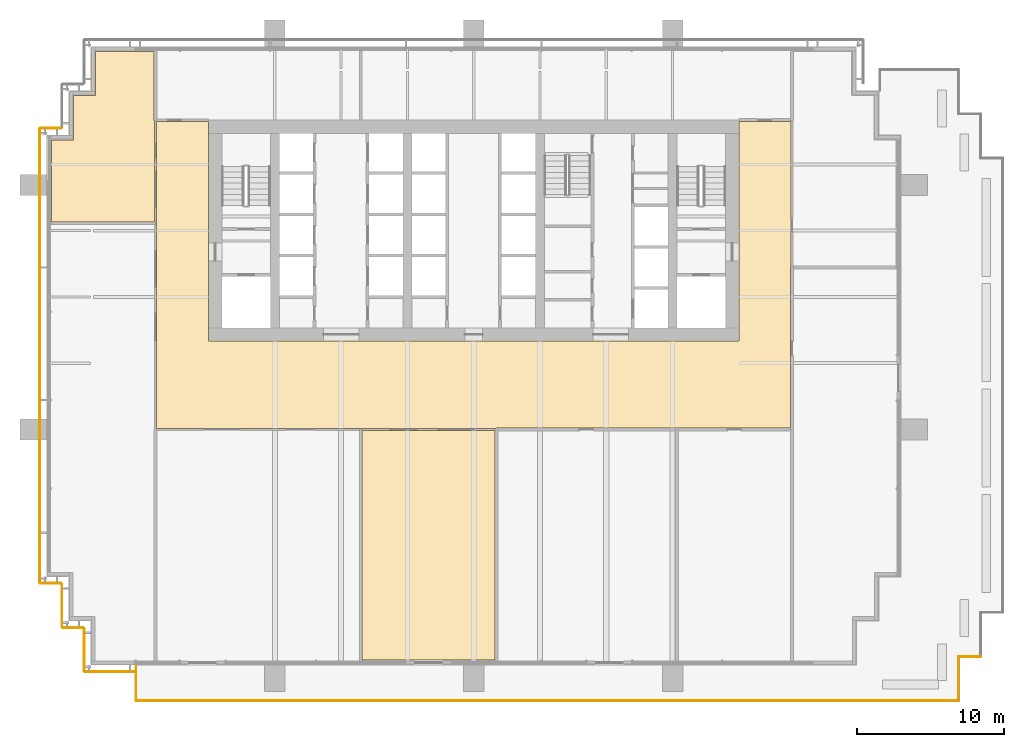
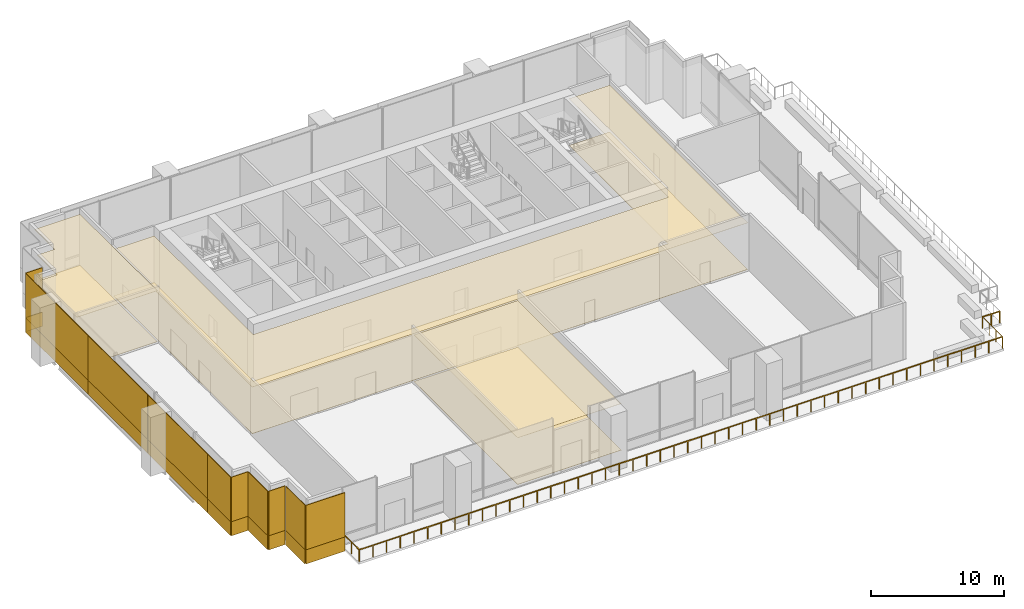
# One storey, part 11 of 14: 26 coverings, 4 railings.
"""IFC4 building model written with IfcOpenShell, lengths in metres."""

from ifc_helpers import new_model, si_unit, direction, frame, origin, origin_2d, place, context, subcontext, project, spatial, polyline, rectangle, outline, extrude, material, layer, layer_set, type_object, element, save


model = new_model("IFC4")

# Units and contexts
model_context = context("Model", 3, precision=1e-05, world=origin(), true_north=direction((0.0, 1.0)))
body_context = subcontext(model_context, "Body", "Model", "MODEL_VIEW")
ifc_project = project(units=[si_unit("LENGTHUNIT", "METRE"), si_unit("AREAUNIT", "SQUARE_METRE"), si_unit("VOLUMEUNIT", "CUBIC_METRE"), si_unit("PLANEANGLEUNIT", "RADIAN"), si_unit("MASSUNIT", "GRAM", prefix="KILO")], contexts=[model_context])

# Site, building, storey
site_placement = place(None, origin())
site = spatial("IfcSite", under=ifc_project, at=site_placement, CompositionType="ELEMENT")
building_placement = place(site_placement, origin())
building = spatial("IfcBuilding", under=site, at=building_placement, Name="Rattan Terrace Tower", CompositionType="ELEMENT")
storey_placement = place(building_placement, frame((0.0, 0.0, 120.699951171875)))
storey = spatial("IfcBuildingStorey", under=building, at=storey_placement, Name="L27", CompositionType="ELEMENT", Elevation=120.699951171875)

# Railings
ifc_material_1 = material(Name="Stainless steel 316", Category="steel")
railing_type = type_object("IfcRailingType", Name="Facade Guard 1100", PredefinedType="GUARDRAIL", material=ifc_material_1)
railing_1_placement = place(storey_placement, frame((34.419921875, -28.919921875, 0.0)))
element("IfcRailing", 1, at=railing_1_placement, inside=storey, type_object=railing_type, Name="Terrace guard L27-1-10", PredefinedType="GUARDRAIL", context=body_context, shape_type="SweptSolid", body=[
    extrude(rectangle(XDim=0.048095703125, YDim=0.048095703125, at=origin_2d()), frame((0.0, 0.0, 1.076171875), z_axis=(-1.0, 0.0, 0.0), x_axis=(0.0, -1.0, 0.0)), (0.0, 0.0, 1.0), 1.5),
    extrude(rectangle(XDim=0.0419921875, YDim=0.0419921875, at=origin_2d()), origin(), (0.0, 0.0, 1.0), 1.052001953125),
    extrude(rectangle(XDim=0.0419921875, YDim=0.0419921875, at=origin_2d()), frame((-0.75, 0.0, 0.0)), (0.0, 0.0, 1.0), 1.052001953125),
])
railing_2_placement = place(storey_placement, frame((32.919921875, -28.919921875, 0.0)))
element("IfcRailing", 2, at=railing_2_placement, inside=storey, type_object=railing_type, Name="Terrace guard L27-1-11", PredefinedType="GUARDRAIL", context=body_context, shape_type="SweptSolid", body=[
    extrude(rectangle(XDim=0.048095703125, YDim=0.048095703125, at=origin_2d()), frame((0.0, 0.0, 1.076171875), z_axis=(0.0, -1.0, 0.0), x_axis=(1.0, 0.0, 0.0)), (0.0, 0.0, 1.0), 3.0),
    extrude(rectangle(XDim=0.0419921875, YDim=0.0419921875, at=origin_2d()), origin(), (0.0, 0.0, 1.0), 1.052001953125),
    extrude(rectangle(XDim=0.0419921875, YDim=0.0419921875, at=origin_2d()), frame((0.0, -1.0, 0.0)), (0.0, 0.0, 1.0), 1.052001953125),
    extrude(rectangle(XDim=0.0419921875, YDim=0.0419921875, at=origin_2d()), frame((0.0, -2.0, 0.0)), (0.0, 0.0, 1.0), 1.052001953125),
])
railing_3_placement = place(storey_placement, frame((32.919921875, -31.919921875, 0.0)))
element("IfcRailing", 3, at=railing_3_placement, inside=storey, type_object=railing_type, Name="Terrace guard L27-1-12", PredefinedType="GUARDRAIL", context=body_context, shape_type="SweptSolid", body=[
    extrude(rectangle(XDim=0.048095703125, YDim=0.048095703125, at=origin_2d()), frame((0.0, 0.0, 1.076171875), z_axis=(-1.0, 0.0, 0.0), x_axis=(0.0, -1.0, 0.0)), (0.0, 0.0, 1.0), 55.83984375),
    extrude(rectangle(XDim=0.0419921875, YDim=0.0419921875, at=origin_2d()), origin(), (0.0, 0.0, 1.0), 1.052001953125),
    extrude(rectangle(XDim=0.0419921875, YDim=0.0419921875, at=origin_2d()), frame((-1.18798828125, 0.0, 0.0)), (0.0, 0.0, 1.0), 1.052001953125),
    extrude(rectangle(XDim=0.0419921875, YDim=0.0419921875, at=origin_2d()), frame((-2.376220703125, 0.0, 0.0)), (0.0, 0.0, 1.0), 1.052001953125),
    extrude(rectangle(XDim=0.0419921875, YDim=0.0419921875, at=origin_2d()), frame((-3.564208984375, 0.0, 0.0)), (0.0, 0.0, 1.0), 1.052001953125),
    extrude(rectangle(XDim=0.0419921875, YDim=0.0419921875, at=origin_2d()), frame((-4.75244140625, 0.0, 0.0)), (0.0, 0.0, 1.0), 1.052001953125),
    extrude(rectangle(XDim=0.0419921875, YDim=0.0419921875, at=origin_2d()), frame((-5.9404296875, 0.0, 0.0)), (0.0, 0.0, 1.0), 1.052001953125),
    extrude(rectangle(XDim=0.0419921875, YDim=0.0419921875, at=origin_2d()), frame((-7.12841796875, 0.0, 0.0)), (0.0, 0.0, 1.0), 1.052001953125),
    extrude(rectangle(XDim=0.0419921875, YDim=0.0419921875, at=origin_2d()), frame((-8.316650390625, 0.0, 0.0)), (0.0, 0.0, 1.0), 1.052001953125),
    extrude(rectangle(XDim=0.0419921875, YDim=0.0419921875, at=origin_2d()), frame((-9.504638671875, 0.0, 0.0)), (0.0, 0.0, 1.0), 1.052001953125),
    extrude(rectangle(XDim=0.0419921875, YDim=0.0419921875, at=origin_2d()), frame((-10.692626953125, 0.0, 0.0)), (0.0, 0.0, 1.0), 1.052001953125),
    extrude(rectangle(XDim=0.0419921875, YDim=0.0419921875, at=origin_2d()), frame((-11.880859375, 0.0, 0.0)), (0.0, 0.0, 1.0), 1.052001953125),
    extrude(rectangle(XDim=0.0419921875, YDim=0.0419921875, at=origin_2d()), frame((-13.06884765625, 0.0, 0.0)), (0.0, 0.0, 1.0), 1.052001953125),
    extrude(rectangle(XDim=0.0419921875, YDim=0.0419921875, at=origin_2d()), frame((-14.257080078125, 0.0, 0.0)), (0.0, 0.0, 1.0), 1.052001953125),
    extrude(rectangle(XDim=0.0419921875, YDim=0.0419921875, at=origin_2d()), frame((-15.445068359375, 0.0, 0.0)), (0.0, 0.0, 1.0), 1.052001953125),
    extrude(rectangle(XDim=0.0419921875, YDim=0.0419921875, at=origin_2d()), frame((-16.633056640625, 0.0, 0.0)), (0.0, 0.0, 1.0), 1.052001953125),
    extrude(rectangle(XDim=0.0419921875, YDim=0.0419921875, at=origin_2d()), frame((-17.8212890625, 0.0, 0.0)), (0.0, 0.0, 1.0), 1.052001953125),
    extrude(rectangle(XDim=0.0419921875, YDim=0.0419921875, at=origin_2d()), frame((-19.00927734375, 0.0, 0.0)), (0.0, 0.0, 1.0), 1.052001953125),
    extrude(rectangle(XDim=0.0419921875, YDim=0.0419921875, at=origin_2d()), frame((-20.197509765625, 0.0, 0.0)), (0.0, 0.0, 1.0), 1.052001953125),
    extrude(rectangle(XDim=0.0419921875, YDim=0.0419921875, at=origin_2d()), frame((-21.385498046875, 0.0, 0.0)), (0.0, 0.0, 1.0), 1.052001953125),
    extrude(rectangle(XDim=0.0419921875, YDim=0.0419921875, at=origin_2d()), frame((-22.573486328125, 0.0, 0.0)), (0.0, 0.0, 1.0), 1.052001953125),
    extrude(rectangle(XDim=0.0419921875, YDim=0.0419921875, at=origin_2d()), frame((-23.76171875, 0.0, 0.0)), (0.0, 0.0, 1.0), 1.052001953125),
    extrude(rectangle(XDim=0.0419921875, YDim=0.0419921875, at=origin_2d()), frame((-24.94970703125, 0.0, 0.0)), (0.0, 0.0, 1.0), 1.052001953125),
    extrude(rectangle(XDim=0.0419921875, YDim=0.0419921875, at=origin_2d()), frame((-26.1376953125, 0.0, 0.0)), (0.0, 0.0, 1.0), 1.052001953125),
    extrude(rectangle(XDim=0.0419921875, YDim=0.0419921875, at=origin_2d()), frame((-27.325927734375, 0.0, 0.0)), (0.0, 0.0, 1.0), 1.052001953125),
    extrude(rectangle(XDim=0.0419921875, YDim=0.0419921875, at=origin_2d()), frame((-28.513916015625, 0.0, 0.0)), (0.0, 0.0, 1.0), 1.052001953125),
    extrude(rectangle(XDim=0.0419921875, YDim=0.0419921875, at=origin_2d()), frame((-29.7021484375, 0.0, 0.0)), (0.0, 0.0, 1.0), 1.052001953125),
    extrude(rectangle(XDim=0.0419921875, YDim=0.0419921875, at=origin_2d()), frame((-30.89013671875, 0.0, 0.0)), (0.0, 0.0, 1.0), 1.052001953125),
    extrude(rectangle(XDim=0.0419921875, YDim=0.0419921875, at=origin_2d()), frame((-32.078125, 0.0, 0.0)), (0.0, 0.0, 1.0), 1.052001953125),
    extrude(rectangle(XDim=0.0419921875, YDim=0.0419921875, at=origin_2d()), frame((-33.266357421875, 0.0, 0.0)), (0.0, 0.0, 1.0), 1.052001953125),
    extrude(rectangle(XDim=0.0419921875, YDim=0.0419921875, at=origin_2d()), frame((-34.454345703125, 0.0, 0.0)), (0.0, 0.0, 1.0), 1.052001953125),
    extrude(rectangle(XDim=0.0419921875, YDim=0.0419921875, at=origin_2d()), frame((-35.642333984375, 0.0, 0.0)), (0.0, 0.0, 1.0), 1.052001953125),
    extrude(rectangle(XDim=0.0419921875, YDim=0.0419921875, at=origin_2d()), frame((-36.83056640625, 0.0, 0.0)), (0.0, 0.0, 1.0), 1.052001953125),
    extrude(rectangle(XDim=0.0419921875, YDim=0.0419921875, at=origin_2d()), frame((-38.0185546875, 0.0, 0.0)), (0.0, 0.0, 1.0), 1.052001953125),
    extrude(rectangle(XDim=0.0419921875, YDim=0.0419921875, at=origin_2d()), frame((-39.206787109375, 0.0, 0.0)), (0.0, 0.0, 1.0), 1.052001953125),
    extrude(rectangle(XDim=0.0419921875, YDim=0.0419921875, at=origin_2d()), frame((-40.394775390625, 0.0, 0.0)), (0.0, 0.0, 1.0), 1.052001953125),
    extrude(rectangle(XDim=0.0419921875, YDim=0.0419921875, at=origin_2d()), frame((-41.582763671875, 0.0, 0.0)), (0.0, 0.0, 1.0), 1.052001953125),
    extrude(rectangle(XDim=0.0419921875, YDim=0.0419921875, at=origin_2d()), frame((-42.77099609375, 0.0, 0.0)), (0.0, 0.0, 1.0), 1.052001953125),
    extrude(rectangle(XDim=0.0419921875, YDim=0.0419921875, at=origin_2d()), frame((-43.958984375, 0.0, 0.0)), (0.0, 0.0, 1.0), 1.052001953125),
    extrude(rectangle(XDim=0.0419921875, YDim=0.0419921875, at=origin_2d()), frame((-45.147216796875, 0.0, 0.0)), (0.0, 0.0, 1.0), 1.052001953125),
    extrude(rectangle(XDim=0.0419921875, YDim=0.0419921875, at=origin_2d()), frame((-46.335205078125, 0.0, 0.0)), (0.0, 0.0, 1.0), 1.052001953125),
    extrude(rectangle(XDim=0.0419921875, YDim=0.0419921875, at=origin_2d()), frame((-47.523193359375, 0.0, 0.0)), (0.0, 0.0, 1.0), 1.052001953125),
    extrude(rectangle(XDim=0.0419921875, YDim=0.0419921875, at=origin_2d()), frame((-48.71142578125, 0.0, 0.0)), (0.0, 0.0, 1.0), 1.052001953125),
    extrude(rectangle(XDim=0.0419921875, YDim=0.0419921875, at=origin_2d()), frame((-49.8994140625, 0.0, 0.0)), (0.0, 0.0, 1.0), 1.052001953125),
    extrude(rectangle(XDim=0.0419921875, YDim=0.0419921875, at=origin_2d()), frame((-51.08740234375, 0.0, 0.0)), (0.0, 0.0, 1.0), 1.052001953125),
    extrude(rectangle(XDim=0.0419921875, YDim=0.0419921875, at=origin_2d()), frame((-52.275634765625, 0.0, 0.0)), (0.0, 0.0, 1.0), 1.052001953125),
    extrude(rectangle(XDim=0.0419921875, YDim=0.0419921875, at=origin_2d()), frame((-53.463623046875, 0.0, 0.0)), (0.0, 0.0, 1.0), 1.052001953125),
    extrude(rectangle(XDim=0.0419921875, YDim=0.0419921875, at=origin_2d()), frame((-54.65185546875, 0.0, 0.0)), (0.0, 0.0, 1.0), 1.052001953125),
])
railing_4_placement = place(storey_placement, frame((-22.919921875, -31.919921875, 0.0)))
element("IfcRailing", 4, at=railing_4_placement, inside=storey, type_object=railing_type, Name="Terrace guard L27-1-13", PredefinedType="GUARDRAIL", context=body_context, shape_type="SweptSolid", body=[
    extrude(rectangle(XDim=0.048095703125, YDim=0.048095703125, at=origin_2d()), frame((0.0, 0.0, 1.076171875), z_axis=(0.0, 1.0, 0.0), x_axis=(-1.0, 0.0, 0.0)), (0.0, 0.0, 1.0), 2.3349609375),
    extrude(rectangle(XDim=0.0419921875, YDim=0.0419921875, at=origin_2d()), origin(), (0.0, 0.0, 1.0), 1.052001953125),
    extrude(rectangle(XDim=0.0419921875, YDim=0.0419921875, at=origin_2d()), frame((0.0, 1.16748046875, 0.0)), (0.0, 0.0, 1.0), 1.052001953125),
    extrude(rectangle(XDim=0.0419921875, YDim=0.0419921875, at=origin_2d()), frame((0.0, 2.3349609375, 0.0)), (0.0, 0.0, 1.0), 1.052001953125),
])

# Coverings
ifc_material_2 = material(Name="Solid terracotta", Category="masonry")
ifc_layer_1 = layer(ifc_material_2, 0.06005859375)
ifc_layer_set_1 = layer_set([ifc_layer_1], Name="Facade Terracotta Band Panel")
covering_type_1 = type_object("IfcCoveringType", Name="Facade Terracotta Band Panel", PredefinedType="CLADDING", material=ifc_layer_set_1)
covering_1_placement = place(storey_placement, frame((-28.699951171875, 6.949951171875, -0.18994140625), z_axis=(0.0, 0.0, 1.0), x_axis=(-1.0, 0.0, 0.0)))
element("IfcCovering", 5, at=covering_1_placement, inside=storey, type_object=covering_type_1, Name="OUTER SKIN panel L27-12A", PredefinedType="CLADDING", context=body_context, shape_type="SweptSolid", body=[
    extrude(rectangle(XDim=1.419921875, YDim=0.06005859375, at=origin_2d()), origin(), (0.0, 0.0, 1.0), 1.300048828125),
])
covering_2_placement = place(storey_placement, frame((-29.449951171875, 2.2099609375, -0.18994140625), z_axis=(0.0, 0.0, 1.0), x_axis=(0.0, -1.0, 0.0)))
element("IfcCovering", 6, at=covering_2_placement, inside=storey, type_object=covering_type_1, Name="OUTER SKIN panel L27-13A", PredefinedType="CLADDING", context=body_context, shape_type="SweptSolid", body=[
    extrude(rectangle(XDim=9.39990234375, YDim=0.06005859375, at=origin_2d()), origin(), (0.0, 0.0, 1.0), 1.300048828125),
])
for number, where, z_axis, x_axis, name in (
    (7, (-29.449951171875, -7.0, -0.18994140625), (0.0, 0.0, 1.0), (0.0, -1.0, 0.0), "OUTER SKIN panel L27-14A"),
    (8, (-29.449951171875, -16.0, -0.18994140625), (0.0, 0.0, 1.0), (0.0, -1.0, 0.0), "OUTER SKIN panel L27-15A"),
):
    element("IfcCovering", number, at=place(storey_placement, frame(where, z_axis=z_axis, x_axis=x_axis)), inside=storey, type_object=covering_type_1, Name=name, PredefinedType="CLADDING", context=body_context, shape_type="SweptSolid", body=[
        extrude(rectangle(XDim=8.97998046875, YDim=0.06005859375, at=origin_2d()), origin(), (0.0, 0.0, 1.0), 1.300048828125),
    ])
covering_3_placement = place(storey_placement, frame((-29.449951171875, -22.2099609375, -0.18994140625), z_axis=(0.0, 0.0, 1.0), x_axis=(0.0, -1.0, 0.0)))
element("IfcCovering", 9, at=covering_3_placement, inside=storey, type_object=covering_type_1, Name="OUTER SKIN panel L27-16A", PredefinedType="CLADDING", context=body_context, shape_type="SweptSolid", body=[
    extrude(rectangle(XDim=3.39990234375, YDim=0.06005859375, at=origin_2d()), origin(), (0.0, 0.0, 1.0), 1.300048828125),
])
covering_4_placement = place(storey_placement, frame((-28.699951171875, -23.949951171875, -0.18994140625), z_axis=(0.0, 0.0, 1.0), x_axis=(1.0, 0.0, 0.0)))
element("IfcCovering", 10, at=covering_4_placement, inside=storey, type_object=covering_type_1, Name="OUTER SKIN panel L27-17A", PredefinedType="CLADDING", context=body_context, shape_type="SweptSolid", body=[
    extrude(rectangle(XDim=1.419921875, YDim=0.06005859375, at=origin_2d()), origin(), (0.0, 0.0, 1.0), 1.300048828125),
])
covering_5_placement = place(storey_placement, frame((-27.949951171875, -25.449951171875, -0.18994140625), z_axis=(0.0, 0.0, 1.0), x_axis=(0.0, -1.0, 0.0)))
element("IfcCovering", 11, at=covering_5_placement, inside=storey, type_object=covering_type_1, Name="OUTER SKIN panel L27-18A", PredefinedType="CLADDING", context=body_context, shape_type="SweptSolid", body=[
    extrude(rectangle(XDim=2.919921875, YDim=0.06005859375, at=origin_2d()), origin(), (0.0, 0.0, 1.0), 1.300048828125),
])
covering_6_placement = place(storey_placement, frame((-27.199951171875, -26.949951171875, -0.18994140625), z_axis=(0.0, 0.0, 1.0), x_axis=(1.0, 0.0, 0.0)))
element("IfcCovering", 12, at=covering_6_placement, inside=storey, type_object=covering_type_1, Name="OUTER SKIN panel L27-19A", PredefinedType="CLADDING", context=body_context, shape_type="SweptSolid", body=[
    extrude(rectangle(XDim=1.419921875, YDim=0.06005859375, at=origin_2d()), origin(), (0.0, 0.0, 1.0), 1.300048828125),
])
covering_7_placement = place(storey_placement, frame((-26.449951171875, -28.449951171875, -0.18994140625), z_axis=(0.0, 0.0, 1.0), x_axis=(0.0, -1.0, 0.0)))
element("IfcCovering", 13, at=covering_7_placement, inside=storey, type_object=covering_type_1, Name="OUTER SKIN panel L27-20A", PredefinedType="CLADDING", context=body_context, shape_type="SweptSolid", body=[
    extrude(rectangle(XDim=2.919921875, YDim=0.06005859375, at=origin_2d()), origin(), (0.0, 0.0, 1.0), 1.300048828125),
])
covering_8_placement = place(storey_placement, frame((-24.72509765625, -29.949951171875, -0.18994140625), z_axis=(0.0, 0.0, 1.0), x_axis=(1.0, 0.0, 0.0)))
element("IfcCovering", 14, at=covering_8_placement, inside=storey, type_object=covering_type_1, Name="OUTER SKIN panel L27-21A", PredefinedType="CLADDING", context=body_context, shape_type="SweptSolid", body=[
    extrude(rectangle(XDim=3.3701171875, YDim=0.06005859375, at=origin_2d()), origin(), (0.0, 0.0, 1.0), 1.300048828125),
])
ifc_material_3 = material(Name="Perforated terracotta", Category="masonry")
ifc_layer_2 = layer(ifc_material_3, 0.06005859375)
ifc_layer_set_2 = layer_set([ifc_layer_2], Name="Facade Terracotta Screen Panel")
covering_type_2 = type_object("IfcCoveringType", Name="Facade Terracotta Screen Panel", PredefinedType="CLADDING", material=ifc_layer_set_2)
covering_9_placement = place(storey_placement, frame((-28.699951171875, 6.949951171875, 1.110107421875), z_axis=(0.0, 0.0, 1.0), x_axis=(-1.0, 0.0, 0.0)))
element("IfcCovering", 15, at=covering_9_placement, inside=storey, type_object=covering_type_2, Name="OUTER SKIN panel L27-12B", PredefinedType="CLADDING", context=body_context, shape_type="SweptSolid", body=[
    extrude(rectangle(XDim=1.419921875, YDim=0.06005859375, at=origin_2d()), origin(), (0.0, 0.0, 1.0), 4.080078125),
])
covering_10_placement = place(storey_placement, frame((-29.449951171875, 2.2099609375, 1.110107421875), z_axis=(0.0, 0.0, 1.0), x_axis=(0.0, -1.0, 0.0)))
element("IfcCovering", 16, at=covering_10_placement, inside=storey, type_object=covering_type_2, Name="OUTER SKIN panel L27-13B", PredefinedType="CLADDING", context=body_context, shape_type="SweptSolid", body=[
    extrude(rectangle(XDim=9.39990234375, YDim=0.06005859375, at=origin_2d()), origin(), (0.0, 0.0, 1.0), 4.080078125),
])
for number, where, z_axis, x_axis, name in (
    (17, (-29.449951171875, -7.0, 1.110107421875), (0.0, 0.0, 1.0), (0.0, -1.0, 0.0), "OUTER SKIN panel L27-14B"),
    (18, (-29.449951171875, -16.0, 1.110107421875), (0.0, 0.0, 1.0), (0.0, -1.0, 0.0), "OUTER SKIN panel L27-15B"),
):
    element("IfcCovering", number, at=place(storey_placement, frame(where, z_axis=z_axis, x_axis=x_axis)), inside=storey, type_object=covering_type_2, Name=name, PredefinedType="CLADDING", context=body_context, shape_type="SweptSolid", body=[
        extrude(rectangle(XDim=8.97998046875, YDim=0.06005859375, at=origin_2d()), origin(), (0.0, 0.0, 1.0), 4.080078125),
    ])
covering_11_placement = place(storey_placement, frame((-29.449951171875, -22.2099609375, 1.110107421875), z_axis=(0.0, 0.0, 1.0), x_axis=(0.0, -1.0, 0.0)))
element("IfcCovering", 19, at=covering_11_placement, inside=storey, type_object=covering_type_2, Name="OUTER SKIN panel L27-16B", PredefinedType="CLADDING", context=body_context, shape_type="SweptSolid", body=[
    extrude(rectangle(XDim=3.39990234375, YDim=0.06005859375, at=origin_2d()), origin(), (0.0, 0.0, 1.0), 4.080078125),
])
covering_12_placement = place(storey_placement, frame((-28.699951171875, -23.949951171875, 1.110107421875), z_axis=(0.0, 0.0, 1.0), x_axis=(1.0, 0.0, 0.0)))
element("IfcCovering", 20, at=covering_12_placement, inside=storey, type_object=covering_type_2, Name="OUTER SKIN panel L27-17B", PredefinedType="CLADDING", context=body_context, shape_type="SweptSolid", body=[
    extrude(rectangle(XDim=1.419921875, YDim=0.06005859375, at=origin_2d()), origin(), (0.0, 0.0, 1.0), 4.080078125),
])
covering_13_placement = place(storey_placement, frame((-27.949951171875, -25.449951171875, 1.110107421875), z_axis=(0.0, 0.0, 1.0), x_axis=(0.0, -1.0, 0.0)))
element("IfcCovering", 21, at=covering_13_placement, inside=storey, type_object=covering_type_2, Name="OUTER SKIN panel L27-18B", PredefinedType="CLADDING", context=body_context, shape_type="SweptSolid", body=[
    extrude(rectangle(XDim=2.919921875, YDim=0.06005859375, at=origin_2d()), origin(), (0.0, 0.0, 1.0), 4.080078125),
])
covering_14_placement = place(storey_placement, frame((-27.199951171875, -26.949951171875, 1.110107421875), z_axis=(0.0, 0.0, 1.0), x_axis=(1.0, 0.0, 0.0)))
element("IfcCovering", 22, at=covering_14_placement, inside=storey, type_object=covering_type_2, Name="OUTER SKIN panel L27-19B", PredefinedType="CLADDING", context=body_context, shape_type="SweptSolid", body=[
    extrude(rectangle(XDim=1.419921875, YDim=0.06005859375, at=origin_2d()), origin(), (0.0, 0.0, 1.0), 4.080078125),
])
covering_15_placement = place(storey_placement, frame((-26.449951171875, -28.449951171875, 1.110107421875), z_axis=(0.0, 0.0, 1.0), x_axis=(0.0, -1.0, 0.0)))
element("IfcCovering", 23, at=covering_15_placement, inside=storey, type_object=covering_type_2, Name="OUTER SKIN panel L27-20B", PredefinedType="CLADDING", context=body_context, shape_type="SweptSolid", body=[
    extrude(rectangle(XDim=2.919921875, YDim=0.06005859375, at=origin_2d()), origin(), (0.0, 0.0, 1.0), 4.080078125),
])
covering_16_placement = place(storey_placement, frame((-24.72509765625, -29.949951171875, 1.110107421875), z_axis=(0.0, 0.0, 1.0), x_axis=(1.0, 0.0, 0.0)))
element("IfcCovering", 24, at=covering_16_placement, inside=storey, type_object=covering_type_2, Name="OUTER SKIN panel L27-21B", PredefinedType="CLADDING", context=body_context, shape_type="SweptSolid", body=[
    extrude(rectangle(XDim=3.3701171875, YDim=0.06005859375, at=origin_2d()), origin(), (0.0, 0.0, 1.0), 4.080078125),
])
ifc_material_4 = material(Name="Polished limestone", Category="masonry")
ifc_layer_3 = layer(ifc_material_4, 0.02001953125)
ifc_layer_set_3 = layer_set([ifc_layer_3], Name="Lobby Floor Finish Stone 20")
covering_type_3 = type_object("IfcCoveringType", Name="Lobby Floor Finish Stone 20", PredefinedType="FLOORING", material=ifc_layer_set_3)
covering_17_placement = place(storey_placement, origin())
element("IfcCovering", 25, at=covering_17_placement, inside=storey, type_object=covering_type_3, Name="Floor finish L27-101", PredefinedType="FLOORING", context=body_context, shape_type="SweptSolid", body=[
    extrude(outline(polyline([(18.0, -7.5), (-18.0, -7.5), (-18.0, 7.425048828125), (-21.52490234375, 7.425048828125), (-21.52490234375, -13.425048828125), (1.512939453125, -13.425048828125), (1.512939453125, -13.39990234375), (21.5, -13.39990234375), (21.5, -2.47998046875), (21.52490234375, -2.47998046875), (21.52490234375, 7.39990234375), (18.0, 7.39990234375), (18.0, -7.5)])), origin(), (0.0, 0.0, 1.0), 0.02001953125),
])
covering_18_placement = place(storey_placement, origin())
element("IfcCovering", 26, at=covering_18_placement, inside=storey, type_object=covering_type_3, Name="Floor finish L27-102", PredefinedType="FLOORING", context=body_context, shape_type="SweptSolid", body=[
    extrude(outline(polyline([(-25.659912109375, 12.159912109375), (-25.659912109375, 9.159912109375), (-27.159912109375, 9.159912109375), (-27.159912109375, 6.159912109375), (-28.659912109375, 6.159912109375), (-28.659912109375, 0.590087890625), (-21.675048828125, 0.590087890625), (-21.675048828125, 7.47998046875), (-21.68994140625, 7.47998046875), (-21.68994140625, 12.159912109375), (-25.659912109375, 12.159912109375)])), origin(), (0.0, 0.0, 1.0), 0.02001953125),
])
covering_19_placement = place(storey_placement, origin())
element("IfcCovering", 27, at=covering_19_placement, inside=storey, type_object=covering_type_3, Name="Floor finish L27-103", PredefinedType="FLOORING", context=body_context, shape_type="SweptSolid", body=[
    extrude(outline(polyline([(-7.576904296875, -13.574951171875), (-7.576904296875, -29.159912109375), (1.43310546875, -29.159912109375), (1.43310546875, -13.574951171875), (-7.576904296875, -13.574951171875)])), origin(), (0.0, 0.0, 1.0), 0.02001953125),
])
ifc_material_5 = material(Name="Gypsum board, painted")
ifc_layer_4 = layer(ifc_material_5, 0.02490234375)
ifc_layer_set_4 = layer_set([ifc_layer_4], Name="Suspended Ceiling Gypsum 25")
covering_type_4 = type_object("IfcCoveringType", Name="Suspended Ceiling Gypsum 25", PredefinedType="CEILING", material=ifc_layer_set_4)
covering_20_placement = place(storey_placement, frame((0.0, 0.0, 4.275146484375)))
element("IfcCovering", 28, at=covering_20_placement, inside=storey, type_object=covering_type_4, Name="Ceiling L27-101", PredefinedType="CEILING", context=body_context, shape_type="SweptSolid", body=[
    extrude(outline(polyline([(18.0, -7.5), (-18.0, -7.5), (-18.0, 7.425048828125), (-21.52490234375, 7.425048828125), (-21.52490234375, -13.425048828125), (1.512939453125, -13.425048828125), (1.512939453125, -13.39990234375), (21.5, -13.39990234375), (21.5, -2.47998046875), (21.52490234375, -2.47998046875), (21.52490234375, 7.39990234375), (18.0, 7.39990234375), (18.0, -7.5)])), origin(), (0.0, 0.0, 1.0), 0.02490234375),
])
covering_21_placement = place(storey_placement, frame((0.0, 0.0, 4.675048828125)))
element("IfcCovering", 29, at=covering_21_placement, inside=storey, type_object=covering_type_4, Name="Ceiling L27-102", PredefinedType="CEILING", context=body_context, shape_type="SweptSolid", body=[
    extrude(outline(polyline([(-25.659912109375, 12.159912109375), (-25.659912109375, 9.159912109375), (-27.159912109375, 9.159912109375), (-27.159912109375, 6.159912109375), (-28.659912109375, 6.159912109375), (-28.659912109375, 0.590087890625), (-21.675048828125, 0.590087890625), (-21.675048828125, 7.47998046875), (-21.68994140625, 7.47998046875), (-21.68994140625, 12.159912109375), (-25.659912109375, 12.159912109375)])), origin(), (0.0, 0.0, 1.0), 0.02490234375),
])
covering_22_placement = place(storey_placement, frame((0.0, 0.0, 4.275146484375)))
element("IfcCovering", 30, at=covering_22_placement, inside=storey, type_object=covering_type_4, Name="Ceiling L27-103", PredefinedType="CEILING", context=body_context, shape_type="SweptSolid", body=[
    extrude(outline(polyline([(-7.576904296875, -13.574951171875), (-7.576904296875, -29.159912109375), (1.43310546875, -29.159912109375), (1.43310546875, -13.574951171875), (-7.576904296875, -13.574951171875)])), origin(), (0.0, 0.0, 1.0), 0.02490234375),
])

save(model, "model.ifc")
